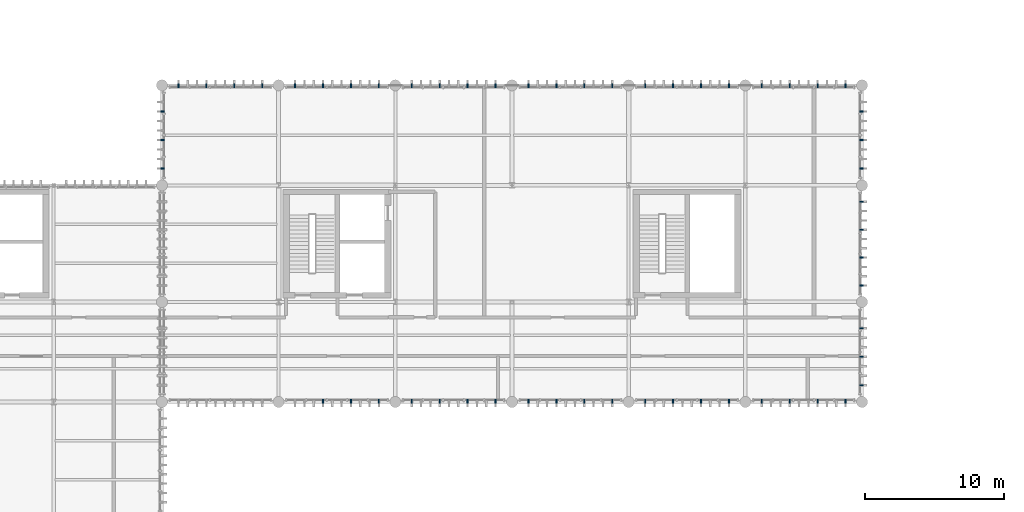
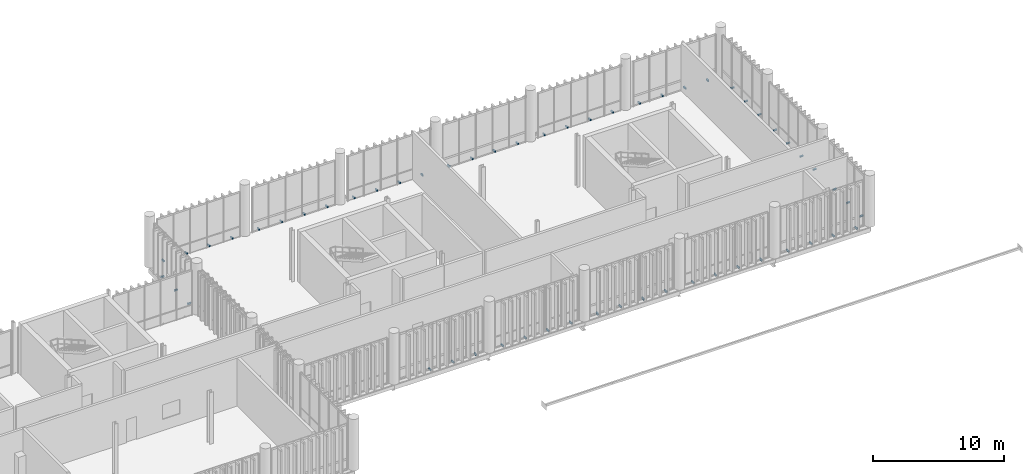
# One storey, part 85 of 94: 56 discrete accessories.
"""IFC4 building model written with IfcOpenShell, lengths in metres."""

from ifc_helpers import new_model, si_unit, direction, frame, origin_with_axes, origin_2d_with_axis, place, context, subcontext, project, spatial, rectangle, extrude, material, type_object, element, save


model = new_model("IFC4")

# Units and contexts
model_context = context("Model", 3, precision=1e-05, world=origin_with_axes(), true_north=direction((0.0, 1.0)))
body_context = subcontext(model_context, "Body", "Model", "MODEL_VIEW")
ifc_project = project(units=[si_unit("LENGTHUNIT", "METRE"), si_unit("AREAUNIT", "SQUARE_METRE"), si_unit("VOLUMEUNIT", "CUBIC_METRE"), si_unit("PLANEANGLEUNIT", "RADIAN"), si_unit("MASSUNIT", "GRAM", prefix="KILO"), si_unit("THERMODYNAMICTEMPERATUREUNIT", "KELVIN")], contexts=[model_context])

# Site, building, storey
site_placement = place(None, origin_with_axes())
site = spatial("IfcSite", under=ifc_project, at=site_placement, CompositionType="ELEMENT")
building_placement = place(site_placement, origin_with_axes())
building = spatial("IfcBuilding", under=site, at=building_placement, Name="Montbau Bow Law Courts", CompositionType="ELEMENT")
storey_placement = place(building_placement, frame((0.0, 0.0, 15.6), z_axis=(0.0, 0.0, 1.0), x_axis=(1.0, 0.0, 0.0)))
storey = spatial("IfcBuildingStorey", under=building, at=storey_placement, Name="L03", CompositionType="ELEMENT", Elevation=15.6)

# Discrete accessories
ifc_material = material(Name="Stainless Steel AISI 316L Outrigger Louvre Bracket", Category="steel")
discrete_accessory_type = type_object("IfcDiscreteAccessoryType", Name="DA-BRK-01", PredefinedType="BRACKET", material=ifc_material)
for number, where, z_axis, x_axis, name in (
    (1, (58.395, 39.04, 15.6), (0.0, 0.0, 1.0), (0.0, -1.0, 0.0), "BRK-L03-0596:brk_0596"),
    (2, (60.405, 39.04, 15.6), (0.0, 0.0, 1.0), (0.0, -1.0, 0.0), "BRK-L03-0597:brk_0597"),
    (3, (62.415, 39.04, 15.6), (0.0, 0.0, 1.0), (0.0, -1.0, 0.0), "BRK-L03-0598:brk_0598"),
    (4, (64.785, 39.04, 15.6), (0.0, 0.0, 1.0), (0.0, -1.0, 0.0), "BRK-L03-0599:brk_0599"),
    (5, (66.795, 39.04, 15.6), (0.0, 0.0, 1.0), (0.0, -1.0, 0.0), "BRK-L03-0600:brk_0600"),
    (6, (68.805, 39.04, 15.6), (0.0, 0.0, 1.0), (0.0, -1.0, 0.0), "BRK-L03-0601:brk_0601"),
    (7, (70.815, 39.04, 15.6), (0.0, 0.0, 1.0), (0.0, -1.0, 0.0), "BRK-L03-0602:brk_0602"),
    (8, (73.185, 39.04, 15.6), (0.0, 0.0, 1.0), (0.0, -1.0, 0.0), "BRK-L03-0603:brk_0603"),
    (9, (75.195, 39.04, 15.6), (0.0, 0.0, 1.0), (0.0, -1.0, 0.0), "BRK-L03-0604:brk_0604"),
    (10, (77.205, 39.04, 15.6), (0.0, 0.0, 1.0), (0.0, -1.0, 0.0), "BRK-L03-0605:brk_0605"),
    (11, (79.215, 39.04, 15.6), (0.0, 0.0, 1.0), (0.0, -1.0, 0.0), "BRK-L03-0606:brk_0606"),
    (12, (81.585, 39.04, 15.6), (0.0, 0.0, 1.0), (0.0, -1.0, 0.0), "BRK-L03-0607:brk_0607"),
    (13, (83.595, 39.04, 15.6), (0.0, 0.0, 1.0), (0.0, -1.0, 0.0), "BRK-L03-0608:brk_0608"),
    (14, (85.605, 39.04, 15.6), (0.0, 0.0, 1.0), (0.0, -1.0, 0.0), "BRK-L03-0609:brk_0609"),
    (15, (87.615, 39.04, 15.6), (0.0, 0.0, 1.0), (0.0, -1.0, 0.0), "BRK-L03-0610:brk_0610"),
    (16, (89.985, 39.04, 15.6), (0.0, 0.0, 1.0), (0.0, -1.0, 0.0), "BRK-L03-0611:brk_0611"),
    (17, (91.995, 39.04, 15.6), (0.0, 0.0, 1.0), (0.0, -1.0, 0.0), "BRK-L03-0612:brk_0612"),
    (18, (94.005, 39.04, 15.6), (0.0, 0.0, 1.0), (0.0, -1.0, 0.0), "BRK-L03-0613:brk_0613"),
    (19, (96.015, 39.04, 15.6), (0.0, 0.0, 1.0), (0.0, -1.0, 0.0), "BRK-L03-0614:brk_0614"),
    (20, (47.985, 61.76, 15.6), (0.0, 0.0, 1.0), (0.0, 1.0, 0.0), "BRK-L03-0615:brk_0615"),
    (21, (49.995, 61.76, 15.6), (0.0, 0.0, 1.0), (0.0, 1.0, 0.0), "BRK-L03-0616:brk_0616"),
    (22, (52.005, 61.76, 15.6), (0.0, 0.0, 1.0), (0.0, 1.0, 0.0), "BRK-L03-0617:brk_0617"),
    (23, (54.015, 61.76, 15.6), (0.0, 0.0, 1.0), (0.0, 1.0, 0.0), "BRK-L03-0618:brk_0618"),
    (24, (56.385, 61.76, 15.6), (0.0, 0.0, 1.0), (0.0, 1.0, 0.0), "BRK-L03-0619:brk_0619"),
    (25, (58.395, 61.76, 15.6), (0.0, 0.0, 1.0), (0.0, 1.0, 0.0), "BRK-L03-0620:brk_0620"),
    (26, (60.405, 61.76, 15.6), (0.0, 0.0, 1.0), (0.0, 1.0, 0.0), "BRK-L03-0621:brk_0621"),
    (27, (62.415, 61.76, 15.6), (0.0, 0.0, 1.0), (0.0, 1.0, 0.0), "BRK-L03-0622:brk_0622"),
    (28, (64.785, 61.76, 15.6), (0.0, 0.0, 1.0), (0.0, 1.0, 0.0), "BRK-L03-0623:brk_0623"),
    (29, (66.795, 61.76, 15.6), (0.0, 0.0, 1.0), (0.0, 1.0, 0.0), "BRK-L03-0624:brk_0624"),
    (30, (68.805, 61.76, 15.6), (0.0, 0.0, 1.0), (0.0, 1.0, 0.0), "BRK-L03-0625:brk_0625"),
    (31, (70.815, 61.76, 15.6), (0.0, 0.0, 1.0), (0.0, 1.0, 0.0), "BRK-L03-0626:brk_0626"),
    (32, (73.185, 61.76, 15.6), (0.0, 0.0, 1.0), (0.0, 1.0, 0.0), "BRK-L03-0627:brk_0627"),
    (33, (75.195, 61.76, 15.6), (0.0, 0.0, 1.0), (0.0, 1.0, 0.0), "BRK-L03-0628:brk_0628"),
    (34, (77.205, 61.76, 15.6), (0.0, 0.0, 1.0), (0.0, 1.0, 0.0), "BRK-L03-0629:brk_0629"),
    (35, (79.215, 61.76, 15.6), (0.0, 0.0, 1.0), (0.0, 1.0, 0.0), "BRK-L03-0630:brk_0630"),
    (36, (81.585, 61.76, 15.6), (0.0, 0.0, 1.0), (0.0, 1.0, 0.0), "BRK-L03-0631:brk_0631"),
    (37, (83.595, 61.76, 15.6), (0.0, 0.0, 1.0), (0.0, 1.0, 0.0), "BRK-L03-0632:brk_0632"),
    (38, (85.605, 61.76, 15.6), (0.0, 0.0, 1.0), (0.0, 1.0, 0.0), "BRK-L03-0633:brk_0633"),
    (39, (87.615, 61.76, 15.6), (0.0, 0.0, 1.0), (0.0, 1.0, 0.0), "BRK-L03-0634:brk_0634"),
    (40, (89.985, 61.76, 15.6), (0.0, 0.0, 1.0), (0.0, 1.0, 0.0), "BRK-L03-0635:brk_0635"),
    (41, (91.995, 61.76, 15.6), (0.0, 0.0, 1.0), (0.0, 1.0, 0.0), "BRK-L03-0636:brk_0636"),
    (42, (94.005, 61.76, 15.6), (0.0, 0.0, 1.0), (0.0, 1.0, 0.0), "BRK-L03-0637:brk_0637"),
    (43, (96.015, 61.76, 15.6), (0.0, 0.0, 1.0), (0.0, 1.0, 0.0), "BRK-L03-0638:brk_0638"),
    (44, (46.84, 55.801, 15.6), (0.0, 0.0, 1.0), (-1.0, 0.0, 0.0), "BRK-L03-0646:brk_0646"),
    (45, (46.84, 57.857, 15.6), (0.0, 0.0, 1.0), (-1.0, 0.0, 0.0), "BRK-L03-0647:brk_0647"),
    (46, (46.84, 59.914, 15.6), (0.0, 0.0, 1.0), (-1.0, 0.0, 0.0), "BRK-L03-0648:brk_0648"),
    (47, (97.16, 40.201, 15.6), (0.0, 0.0, 1.0), (1.0, 0.0, 0.0), "BRK-L03-0649:brk_0649"),
    (48, (97.16, 42.257, 15.6), (0.0, 0.0, 1.0), (1.0, 0.0, 0.0), "BRK-L03-0650:brk_0650"),
    (49, (97.16, 44.314, 15.6), (0.0, 0.0, 1.0), (1.0, 0.0, 0.0), "BRK-L03-0651:brk_0651"),
    (50, (97.16, 47.385, 15.6), (0.0, 0.0, 1.0), (1.0, 0.0, 0.0), "BRK-L03-0652:brk_0652"),
    (51, (97.16, 49.395, 15.6), (0.0, 0.0, 1.0), (1.0, 0.0, 0.0), "BRK-L03-0653:brk_0653"),
    (52, (97.16, 51.405, 15.6), (0.0, 0.0, 1.0), (1.0, 0.0, 0.0), "BRK-L03-0654:brk_0654"),
    (53, (97.16, 53.415, 15.6), (0.0, 0.0, 1.0), (1.0, 0.0, 0.0), "BRK-L03-0655:brk_0655"),
    (54, (97.16, 55.801, 15.6), (0.0, 0.0, 1.0), (1.0, 0.0, 0.0), "BRK-L03-0656:brk_0656"),
    (55, (97.16, 57.857, 15.6), (0.0, 0.0, 1.0), (1.0, 0.0, 0.0), "BRK-L03-0657:brk_0657"),
    (56, (97.16, 59.914, 15.6), (0.0, 0.0, 1.0), (1.0, 0.0, 0.0), "BRK-L03-0658:brk_0658"),
):
    element("IfcDiscreteAccessory", number, at=place(None, frame(where, z_axis=z_axis, x_axis=x_axis)), inside=storey, type_object=discrete_accessory_type, Name=name, PredefinedType="BRACKET", context=body_context, shape_type="SweptSolid", body=[
        extrude(rectangle(XDim=0.28, YDim=0.09, at=origin_2d_with_axis()), origin_with_axes(), (0.0, 0.0, 1.0), 0.12),
    ])

save(model, "model.ifc")
